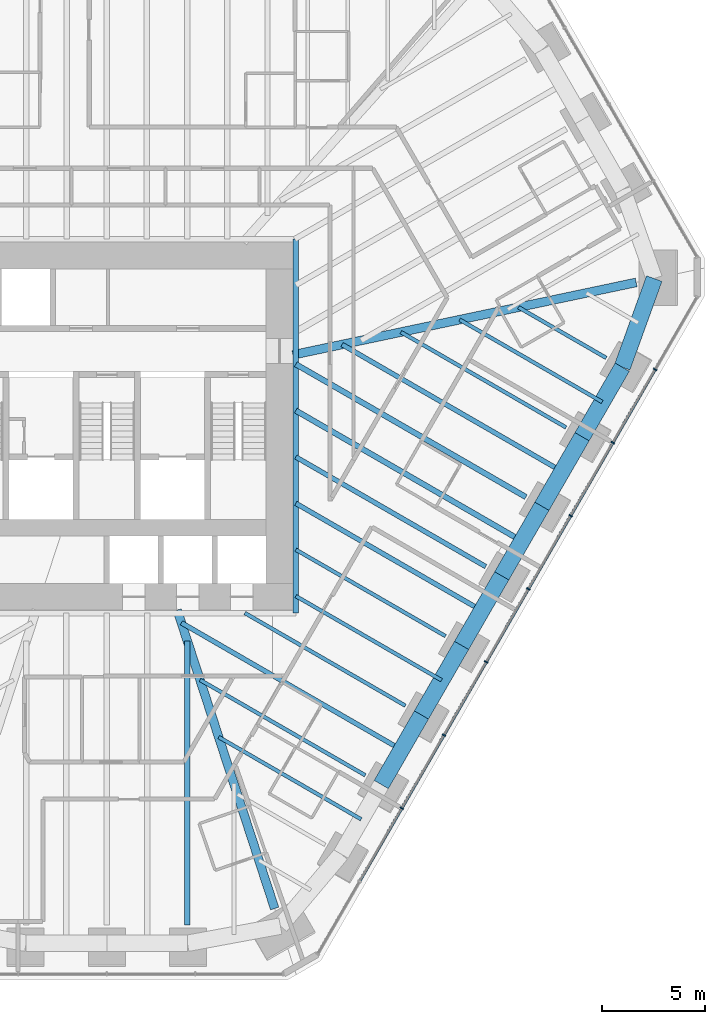
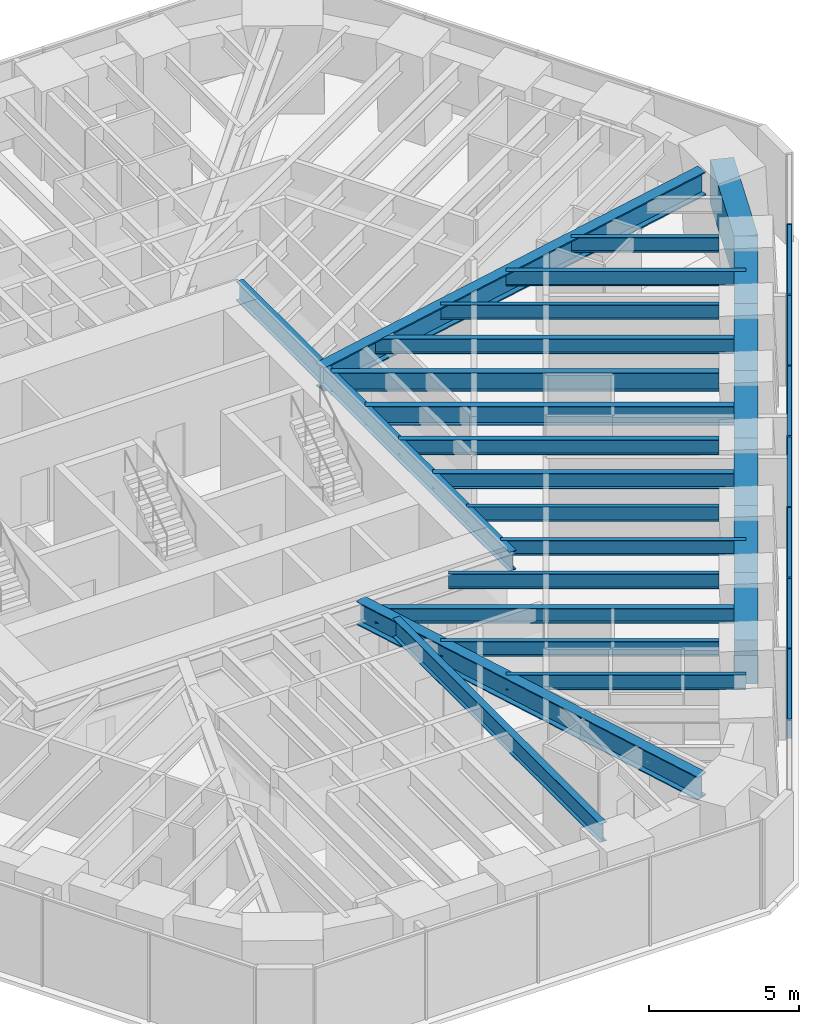
# One storey, part 5 of 17: 25 beams, 14 members, 1 element without a shape of its own.
"""IFC4 building model written with IfcOpenShell, lengths in metres."""

from ifc_helpers import new_model, si_unit, direction, frame, origin, origin_2d, place, context, subcontext, project, spatial, rectangle, i_section, extrude, material, material_profile, profile_set, type_object, element, aggregate, save


model = new_model("IFC4")

# Units and contexts
model_context = context("Model", 3, precision=1e-05, world=origin(), true_north=direction((0.0, 1.0)))
body_context = subcontext(model_context, "Body", "Model", "MODEL_VIEW")
ifc_project = project(units=[si_unit("LENGTHUNIT", "METRE"), si_unit("AREAUNIT", "SQUARE_METRE"), si_unit("VOLUMEUNIT", "CUBIC_METRE"), si_unit("PLANEANGLEUNIT", "RADIAN"), si_unit("MASSUNIT", "GRAM", prefix="KILO")], contexts=[model_context])

# Site, building, storey
site_placement = place(None, origin())
site = spatial("IfcSite", under=ifc_project, at=site_placement, CompositionType="ELEMENT")
building_placement = place(site_placement, origin())
building = spatial("IfcBuilding", under=site, at=building_placement, Name="Sandreach Pilgrim Tower", CompositionType="ELEMENT")
storey_placement = place(building_placement, frame((0.0, 0.0, 150.0)))
storey = spatial("IfcBuildingStorey", under=building, at=storey_placement, Name="L37", CompositionType="ELEMENT", Elevation=150.0)

# Curtain wall, members
ifc_material_1 = material(Name="Aluminium framed curtain wall", Category="aluminium")
curtain_wall_type = type_object("IfcCurtainWallType", Name="Hotel tower curtain wall", PredefinedType="NOTDEFINED", material=ifc_material_1)
curtain_wall_placement = place(storey_placement, origin())
curtain_wall = element("IfcCurtainWall", 1, at=curtain_wall_placement, inside=storey, type_object=curtain_wall_type, Name="CW-2 L37 SE", PredefinedType="NOTDEFINED")
ifc_material_2 = material(Name="Aluminium extrusion", Category="aluminium")
ifc_material_profile_1 = material_profile(ifc_material_2, rectangle(XDim=0.06494140625, YDim=0.179931640625, at=origin_2d()), Name="CW-2M 65X180")
ifc_profile_set_1 = profile_set([ifc_material_profile_1], Name="Aluminium extrusion")
member_type_1 = type_object("IfcMemberType", Name="CW-2 mullion", PredefinedType="MULLION", material=ifc_profile_set_1)
member_1_placement = place(storey_placement, frame((26.66748046875, 1.20166015625, 0.0), z_axis=(0.0, 0.0, 1.0), x_axis=(-0.5, -0.866025403784, 0.0)))
member_1 = element("IfcMember", 2, at=member_1_placement, type_object=member_type_1, Name="CW-2 mullion 2", PredefinedType="MULLION", context=body_context, shape_type="SweptSolid", body=[
    extrude(rectangle(XDim=0.06494140625, YDim=0.179931640625, at=origin_2d()), origin(), (0.0, 0.0, 1.0), 3.639892578125),
])
member_2_placement = place(storey_placement, frame((24.614013671875, -2.35498046875, 0.0), z_axis=(0.0, 0.0, 1.0), x_axis=(-0.5, -0.866025403784, 0.0)))
member_2 = element("IfcMember", 3, at=member_2_placement, type_object=member_type_1, Name="CW-2 mullion 3", PredefinedType="MULLION", context=body_context, shape_type="SweptSolid", body=[
    extrude(rectangle(XDim=0.06494140625, YDim=0.179931640625, at=origin_2d()), origin(), (0.0, 0.0, 1.0), 3.639892578125),
])
member_3_placement = place(storey_placement, frame((22.560302734375, -5.911865234375, 0.0), z_axis=(0.0, 0.0, 1.0), x_axis=(-0.5, -0.866025403784, 0.0)))
member_3 = element("IfcMember", 4, at=member_3_placement, type_object=member_type_1, Name="CW-2 mullion 4", PredefinedType="MULLION", context=body_context, shape_type="SweptSolid", body=[
    extrude(rectangle(XDim=0.06494140625, YDim=0.179931640625, at=origin_2d()), origin(), (0.0, 0.0, 1.0), 3.639892578125),
])
member_4_placement = place(storey_placement, frame((20.5068359375, -9.468505859375, 0.0), z_axis=(0.0, 0.0, 1.0), x_axis=(-0.5, -0.866025403784, 0.0)))
member_4 = element("IfcMember", 5, at=member_4_placement, type_object=member_type_1, Name="CW-2 mullion 5", PredefinedType="MULLION", context=body_context, shape_type="SweptSolid", body=[
    extrude(rectangle(XDim=0.06494140625, YDim=0.179931640625, at=origin_2d()), origin(), (0.0, 0.0, 1.0), 3.639892578125),
])
member_5_placement = place(storey_placement, frame((18.453369140625, -13.025146484375, 0.0), z_axis=(0.0, 0.0, 1.0), x_axis=(-0.5, -0.866025403784, 0.0)))
member_5 = element("IfcMember", 6, at=member_5_placement, type_object=member_type_1, Name="CW-2 mullion 6", PredefinedType="MULLION", context=body_context, shape_type="SweptSolid", body=[
    extrude(rectangle(XDim=0.06494140625, YDim=0.179931640625, at=origin_2d()), origin(), (0.0, 0.0, 1.0), 3.639892578125),
])
member_6_placement = place(storey_placement, frame((16.39990234375, -16.58203125, 0.0), z_axis=(0.0, 0.0, 1.0), x_axis=(-0.5, -0.866025403784, 0.0)))
member_6 = element("IfcMember", 7, at=member_6_placement, type_object=member_type_1, Name="CW-2 mullion 7", PredefinedType="MULLION", context=body_context, shape_type="SweptSolid", body=[
    extrude(rectangle(XDim=0.06494140625, YDim=0.179931640625, at=origin_2d()), origin(), (0.0, 0.0, 1.0), 3.639892578125),
])
member_7_placement = place(storey_placement, frame((14.346435546875, -20.138671875, 0.0), z_axis=(0.0, 0.0, 1.0), x_axis=(-0.5, -0.866025403784, 0.0)))
member_7 = element("IfcMember", 8, at=member_7_placement, type_object=member_type_1, Name="CW-2 mullion 8", PredefinedType="MULLION", context=body_context, shape_type="SweptSolid", body=[
    extrude(rectangle(XDim=0.06494140625, YDim=0.179931640625, at=origin_2d()), origin(), (0.0, 0.0, 1.0), 3.639892578125),
])
ifc_material_3 = material(Name="Aluminium extrusion", Category="aluminium")
ifc_material_profile_2 = material_profile(ifc_material_3, rectangle(XDim=0.139892578125, YDim=0.070068359375, at=origin_2d()), Name="CW-2T 140X70")
ifc_profile_set_2 = profile_set([ifc_material_profile_2], Name="Aluminium extrusion")
member_type_2 = type_object("IfcMemberType", Name="CW-2 transom", PredefinedType="USERDEFINED", material=ifc_profile_set_2)
member_8_placement = place(storey_placement, frame((26.651123046875, 1.173583984375, 3.60498046875), z_axis=(-0.499997818338, -0.866026663364, 0.0), x_axis=(0.866026663364, -0.499997818338, 0.0)))
member_8 = element("IfcMember", 9, at=member_8_placement, type_object=member_type_2, Name="CW-2 head transom 2", ObjectType="TRANSOM", PredefinedType="USERDEFINED", context=body_context, shape_type="SweptSolid", body=[
    extrude(rectangle(XDim=0.139892578125, YDim=0.070068359375, at=origin_2d()), origin(), (0.0, 0.0, 1.0), 4.0419921875),
])
member_9_placement = place(storey_placement, frame((24.59765625, -2.38330078125, 3.60498046875), z_axis=(-0.500023973715, -0.866011562111, 0.0), x_axis=(0.866011562111, -0.500023973715, 0.0)))
member_9 = element("IfcMember", 10, at=member_9_placement, type_object=member_type_2, Name="CW-2 head transom 3", ObjectType="TRANSOM", PredefinedType="USERDEFINED", context=body_context, shape_type="SweptSolid", body=[
    extrude(rectangle(XDim=0.139892578125, YDim=0.070068359375, at=origin_2d()), origin(), (0.0, 0.0, 1.0), 4.041748046875),
])
member_10_placement = place(storey_placement, frame((22.544189453125, -5.93994140625, 3.60498046875), z_axis=(-0.499997818338, -0.866026663364, 0.0), x_axis=(0.866026663364, -0.499997818338, 0.0)))
member_10 = element("IfcMember", 11, at=member_10_placement, type_object=member_type_2, Name="CW-2 head transom 4", ObjectType="TRANSOM", PredefinedType="USERDEFINED", context=body_context, shape_type="SweptSolid", body=[
    extrude(rectangle(XDim=0.139892578125, YDim=0.070068359375, at=origin_2d()), origin(), (0.0, 0.0, 1.0), 4.0419921875),
])
member_11_placement = place(storey_placement, frame((20.49072265625, -9.49658203125, 3.60498046875), z_axis=(-0.499997818338, -0.866026663364, 0.0), x_axis=(0.866026663364, -0.499997818338, 0.0)))
member_11 = element("IfcMember", 12, at=member_11_placement, type_object=member_type_2, Name="CW-2 head transom 5", ObjectType="TRANSOM", PredefinedType="USERDEFINED", context=body_context, shape_type="SweptSolid", body=[
    extrude(rectangle(XDim=0.139892578125, YDim=0.070068359375, at=origin_2d()), origin(), (0.0, 0.0, 1.0), 4.0419921875),
])
member_12_placement = place(storey_placement, frame((18.437255859375, -13.053466796875, 3.60498046875), z_axis=(-0.499997818338, -0.866026663364, 0.0), x_axis=(0.866026663364, -0.499997818338, 0.0)))
member_12 = element("IfcMember", 13, at=member_12_placement, type_object=member_type_2, Name="CW-2 head transom 6", ObjectType="TRANSOM", PredefinedType="USERDEFINED", context=body_context, shape_type="SweptSolid", body=[
    extrude(rectangle(XDim=0.139892578125, YDim=0.070068359375, at=origin_2d()), origin(), (0.0, 0.0, 1.0), 4.0419921875),
])
member_13_placement = place(storey_placement, frame((16.3837890625, -16.610107421875, 3.60498046875), z_axis=(-0.499997818338, -0.866026663364, 0.0), x_axis=(0.866026663364, -0.499997818338, 0.0)))
member_13 = element("IfcMember", 14, at=member_13_placement, type_object=member_type_2, Name="CW-2 head transom 7", ObjectType="TRANSOM", PredefinedType="USERDEFINED", context=body_context, shape_type="SweptSolid", body=[
    extrude(rectangle(XDim=0.139892578125, YDim=0.070068359375, at=origin_2d()), origin(), (0.0, 0.0, 1.0), 4.0419921875),
])
member_14_placement = place(storey_placement, frame((14.330322265625, -20.1669921875, 3.60498046875), z_axis=(-0.500023973715, -0.866011562111, 0.0), x_axis=(0.866011562111, -0.500023973715, 0.0)))
member_14 = element("IfcMember", 15, at=member_14_placement, type_object=member_type_2, Name="CW-2 head transom 8", ObjectType="TRANSOM", PredefinedType="USERDEFINED", context=body_context, shape_type="SweptSolid", body=[
    extrude(rectangle(XDim=0.139892578125, YDim=0.070068359375, at=origin_2d()), origin(), (0.0, 0.0, 1.0), 4.041748046875),
])
aggregate(curtain_wall, [member_1, member_2, member_3, member_4, member_5, member_6, member_7, member_8, member_9, member_10, member_11, member_12, member_13, member_14])

# Beams
ifc_material_4 = material(Name="Steel ASTM A992 Grade 50", Category="steel")
ifc_material_profile_3 = material_profile(ifc_material_4, i_section(OverallWidth=0.2666015625, OverallDepth=0.77978515625, WebThickness=0.0166015625, FlangeThickness=0.030029296875, at=origin_2d()), Name="W30X148")
ifc_profile_set_3 = profile_set([ifc_material_profile_3], Name="Steel ASTM A992 Grade 50")
beam_type_1 = type_object("IfcBeamType", Name="Core edge beam W30X148", PredefinedType="BEAM", material=ifc_profile_set_3)
beam_1_placement = place(storey_placement, frame((9.193359375, 7.54345703125, 3.25), z_axis=(0.0, -1.0, 0.0), x_axis=(1.0, 0.0, 0.0)))
element("IfcBeam", 16, at=beam_1_placement, inside=storey, type_object=beam_type_1, Name="BM L37 CEE", PredefinedType="BEAM", context=body_context, shape_type="SweptSolid", body=[
    extrude(i_section(OverallWidth=0.2666015625, OverallDepth=0.77978515625, WebThickness=0.0166015625, FlangeThickness=0.030029296875, at=origin_2d()), origin(), (0.0, 0.0, 1.0), 18.186767578125),
])
ifc_material_5 = material(Name="Steel ASTM A992 Grade 50", Category="steel")
ifc_material_profile_4 = material_profile(ifc_material_5, i_section(OverallWidth=0.421630859375, OverallDepth=0.937255859375, WebThickness=0.0224609375, FlangeThickness=0.039794921875, at=origin_2d()), Name="W36X282")
ifc_profile_set_4 = profile_set([ifc_material_profile_4], Name="Steel ASTM A992 Grade 50")
beam_type_2 = type_object("IfcBeamType", Name="Corner girder W36X282", PredefinedType="BEAM", material=ifc_profile_set_4)
beam_2_placement = place(storey_placement, frame((8.166015625, -25.01611328125, 3.17138671875), z_axis=(-0.310317157358, 0.950633084765, 0.0), x_axis=(-0.950633084765, -0.310317157358, 0.0)))
element("IfcBeam", 17, at=beam_2_placement, inside=storey, type_object=beam_type_2, Name="BM L37 CG22", PredefinedType="BEAM", context=body_context, shape_type="SweptSolid", body=[
    extrude(i_section(OverallWidth=0.421630859375, OverallDepth=0.937255859375, WebThickness=0.0224609375, FlangeThickness=0.039794921875, at=origin_2d()), origin(), (0.0, 0.0, 1.0), 15.27001953125),
])
ifc_material_6 = material(Name="Steel ASTM A992 Grade 50", Category="steel")
ifc_material_profile_5 = material_profile(ifc_material_6, i_section(OverallWidth=0.424072265625, OverallDepth=0.965087890625, WebThickness=0.028564453125, FlangeThickness=0.051025390625, at=origin_2d()), Name="W36X361")
ifc_profile_set_5 = profile_set([ifc_material_profile_5], Name="Steel ASTM A992 Grade 50")
beam_type_3 = type_object("IfcBeamType", Name="Corner girder W36X361", PredefinedType="BEAM", material=ifc_profile_set_5)
beam_3_placement = place(storey_placement, frame((25.74755859375, 5.43603515625, 3.157470703125), z_axis=(-0.978430011302, -0.206578587914, 0.0), x_axis=(0.206578587914, -0.978430011302, 0.0)))
element("IfcBeam", 18, at=beam_3_placement, inside=storey, type_object=beam_type_3, Name="BM L37 CG13", PredefinedType="BEAM", context=body_context, shape_type="SweptSolid", body=[
    extrude(i_section(OverallWidth=0.424072265625, OverallDepth=0.965087890625, WebThickness=0.028564453125, FlangeThickness=0.051025390625, at=origin_2d()), origin(), (0.0, 0.0, 1.0), 17.065673828125),
])
ifc_material_7 = material(Name="Steel ASTM A992 Grade 50", Category="steel")
ifc_material_profile_6 = material_profile(ifc_material_7, i_section(OverallWidth=0.1787109375, OverallDepth=0.60205078125, WebThickness=0.010986328125, FlangeThickness=0.014892578125, at=origin_2d()), Name="W24X62")
ifc_profile_set_6 = profile_set([ifc_material_profile_6], Name="Steel ASTM A992 Grade 50")
beam_type_4 = type_object("IfcBeamType", Name="Floor beam W24X62", PredefinedType="BEAM", material=ifc_profile_set_6)
beam_4_placement = place(storey_placement, frame((24.29052734375, 1.76416015625, 3.339111328125), z_axis=(-0.866011470817, 0.500024131831, 0.0), x_axis=(-0.500024131831, -0.866011470817, 0.0)))
element("IfcBeam", 19, at=beam_4_placement, inside=storey, type_object=beam_type_4, Name="BM L37 F14", PredefinedType="BEAM", context=body_context, shape_type="SweptSolid", body=[
    extrude(i_section(OverallWidth=0.1787109375, OverallDepth=0.60205078125, WebThickness=0.010986328125, FlangeThickness=0.014892578125, at=origin_2d()), origin(), (0.0, 0.0, 1.0), 4.927001953125),
])
beam_5_placement = place(storey_placement, frame((22.337158203125, -1.618896484375, 3.339111328125), z_axis=(-0.866025631785, 0.49999960509, 0.0), x_axis=(-0.49999960509, -0.866025631785, 0.0)))
element("IfcBeam", 20, at=beam_5_placement, inside=storey, type_object=beam_type_4, Name="BM L37 F15", PredefinedType="BEAM", context=body_context, shape_type="SweptSolid", body=[
    extrude(i_section(OverallWidth=0.1787109375, OverallDepth=0.60205078125, WebThickness=0.010986328125, FlangeThickness=0.014892578125, at=origin_2d()), origin(), (0.0, 0.0, 1.0), 9.27734375),
])
beam_6_placement = place(storey_placement, frame((16.477294921875, -11.7685546875, 3.339111328125), z_axis=(-0.866028486751, 0.499994660107, 0.0), x_axis=(-0.499994660107, -0.866028486751, 0.0)))
element("IfcBeam", 21, at=beam_6_placement, inside=storey, type_object=beam_type_4, Name="BM L37 F18", PredefinedType="BEAM", context=body_context, shape_type="SweptSolid", body=[
    extrude(i_section(OverallWidth=0.1787109375, OverallDepth=0.60205078125, WebThickness=0.010986328125, FlangeThickness=0.014892578125, at=origin_2d()), origin(), (0.0, 0.0, 1.0), 8.41064453125),
])
beam_7_placement = place(storey_placement, frame((14.52392578125, -15.15185546875, 3.339111328125), z_axis=(-0.86602010863, 0.500009171364, 0.0), x_axis=(-0.500009171364, -0.86602010863, 0.0)))
element("IfcBeam", 22, at=beam_7_placement, inside=storey, type_object=beam_type_4, Name="BM L37 F19", PredefinedType="BEAM", context=body_context, shape_type="SweptSolid", body=[
    extrude(i_section(OverallWidth=0.1787109375, OverallDepth=0.60205078125, WebThickness=0.010986328125, FlangeThickness=0.014892578125, at=origin_2d()), origin(), (0.0, 0.0, 1.0), 9.016845703125),
])
beam_8_placement = place(storey_placement, frame((12.570556640625, -18.53515625, 3.339111328125), z_axis=(-0.866014236654, 0.500019341538, 0.0), x_axis=(-0.500019341538, -0.866014236654, 0.0)))
element("IfcBeam", 23, at=beam_8_placement, inside=storey, type_object=beam_type_4, Name="BM L37 F20", PredefinedType="BEAM", context=body_context, shape_type="SweptSolid", body=[
    extrude(i_section(OverallWidth=0.1787109375, OverallDepth=0.60205078125, WebThickness=0.010986328125, FlangeThickness=0.014892578125, at=origin_2d()), origin(), (0.0, 0.0, 1.0), 9.277587890625),
])
beam_9_placement = place(storey_placement, frame((24.09326171875, -0.37744140625, 3.339111328125), z_axis=(-0.866020974757, 0.500007671222, 0.0), x_axis=(-0.500007671222, -0.866020974757, 0.0)))
element("IfcBeam", 24, at=beam_9_placement, inside=storey, type_object=beam_type_4, Name="BM L37 FM14", PredefinedType="BEAM", context=body_context, shape_type="SweptSolid", body=[
    extrude(i_section(OverallWidth=0.1787109375, OverallDepth=0.60205078125, WebThickness=0.010986328125, FlangeThickness=0.014892578125, at=origin_2d()), origin(), (0.0, 0.0, 1.0), 8.002197265625),
])
beam_10_placement = place(storey_placement, frame((16.280029296875, -13.91015625, 3.339111328125), z_axis=(-0.866035044717, 0.499983301043, 0.0), x_axis=(-0.499983301043, -0.866035044717, 0.0)))
element("IfcBeam", 25, at=beam_10_placement, inside=storey, type_object=beam_type_4, Name="BM L37 FM18", PredefinedType="BEAM", context=body_context, shape_type="SweptSolid", body=[
    extrude(i_section(OverallWidth=0.1787109375, OverallDepth=0.60205078125, WebThickness=0.010986328125, FlangeThickness=0.014892578125, at=origin_2d()), origin(), (0.0, 0.0, 1.0), 8.182861328125),
])
beam_11_placement = place(storey_placement, frame((12.37353515625, -20.6767578125, 3.339111328125), z_axis=(-0.866020974757, 0.500007671222, 0.0), x_axis=(-0.500007671222, -0.866020974757, 0.0)))
element("IfcBeam", 26, at=beam_11_placement, inside=storey, type_object=beam_type_4, Name="BM L37 FM20", PredefinedType="BEAM", context=body_context, shape_type="SweptSolid", body=[
    extrude(i_section(OverallWidth=0.1787109375, OverallDepth=0.60205078125, WebThickness=0.010986328125, FlangeThickness=0.014892578125, at=origin_2d()), origin(), (0.0, 0.0, 1.0), 8.002197265625),
])
ifc_material_8 = material(Name="Steel ASTM A992 Grade 50", Category="steel")
ifc_material_profile_7 = material_profile(ifc_material_8, i_section(OverallWidth=0.23046875, OverallDepth=0.6171875, WebThickness=0.01318359375, FlangeThickness=0.022216796875, at=origin_2d()), Name="W24X94")
ifc_profile_set_7 = profile_set([ifc_material_profile_7], Name="Steel ASTM A992 Grade 50")
beam_type_5 = type_object("IfcBeamType", Name="Floor beam W24X94", PredefinedType="BEAM", material=ifc_profile_set_7)
beam_12_placement = place(storey_placement, frame((18.4306640625, -8.385498046875, 3.331298828125), z_axis=(-0.866021684948, 0.500006441159, 0.0), x_axis=(-0.500006441159, -0.866021684948, 0.0)))
element("IfcBeam", 27, at=beam_12_placement, inside=storey, type_object=beam_type_5, Name="BM L37 F17", PredefinedType="BEAM", context=body_context, shape_type="SweptSolid", body=[
    extrude(i_section(OverallWidth=0.23046875, OverallDepth=0.6171875, WebThickness=0.01318359375, FlangeThickness=0.022216796875, at=origin_2d()), origin(), (0.0, 0.0, 1.0), 10.666259765625),
])
beam_13_placement = place(storey_placement, frame((22.139892578125, -3.760498046875, 3.331298828125), z_axis=(-0.86602826301, 0.499995047643, 0.0), x_axis=(-0.499995047643, -0.86602826301, 0.0)))
element("IfcBeam", 28, at=beam_13_placement, inside=storey, type_object=beam_type_5, Name="BM L37 FM15", PredefinedType="BEAM", context=body_context, shape_type="SweptSolid", body=[
    extrude(i_section(OverallWidth=0.23046875, OverallDepth=0.6171875, WebThickness=0.01318359375, FlangeThickness=0.022216796875, at=origin_2d()), origin(), (0.0, 0.0, 1.0), 12.352783203125),
])
beam_14_placement = place(storey_placement, frame((18.2333984375, -10.527099609375, 3.331298828125), z_axis=(-0.866026677491, 0.499997793869, 0.0), x_axis=(-0.499997793869, -0.866026677491, 0.0)))
element("IfcBeam", 29, at=beam_14_placement, inside=storey, type_object=beam_type_5, Name="BM L37 FM17", PredefinedType="BEAM", context=body_context, shape_type="SweptSolid", body=[
    extrude(i_section(OverallWidth=0.23046875, OverallDepth=0.6171875, WebThickness=0.01318359375, FlangeThickness=0.022216796875, at=origin_2d()), origin(), (0.0, 0.0, 1.0), 10.4384765625),
])
beam_15_placement = place(storey_placement, frame((14.32666015625, -17.29345703125, 3.331298828125), z_axis=(-0.86602826301, 0.499995047643, 0.0), x_axis=(-0.499995047643, -0.86602826301, 0.0)))
element("IfcBeam", 30, at=beam_15_placement, inside=storey, type_object=beam_type_5, Name="BM L37 FM19", PredefinedType="BEAM", context=body_context, shape_type="SweptSolid", body=[
    extrude(i_section(OverallWidth=0.23046875, OverallDepth=0.6171875, WebThickness=0.01318359375, FlangeThickness=0.022216796875, at=origin_2d()), origin(), (0.0, 0.0, 1.0), 12.352783203125),
])
ifc_material_9 = material(Name="Steel ASTM A992 Grade 50", Category="steel")
ifc_material_profile_8 = material_profile(ifc_material_9, i_section(OverallWidth=0.2666015625, OverallDepth=0.761962890625, WebThickness=0.014404296875, FlangeThickness=0.021484375, at=origin_2d()), Name="W30X116")
ifc_profile_set_8 = profile_set([ifc_material_profile_8], Name="Steel ASTM A992 Grade 50")
beam_type_6 = type_object("IfcBeamType", Name="Floor beam W30X116", PredefinedType="BEAM", material=ifc_profile_set_8)
beam_16_placement = place(storey_placement, frame((20.3837890625, -5.002197265625, 3.259033203125), z_axis=(-0.86602071536, 0.500008120501, 0.0), x_axis=(-0.500008120501, -0.86602071536, 0.0)))
element("IfcBeam", 31, at=beam_16_placement, inside=storey, type_object=beam_type_6, Name="BM L37 F16", PredefinedType="BEAM", context=body_context, shape_type="SweptSolid", body=[
    extrude(i_section(OverallWidth=0.2666015625, OverallDepth=0.761962890625, WebThickness=0.014404296875, FlangeThickness=0.021484375, at=origin_2d()), origin(), (0.0, 0.0, 1.0), 12.921630859375),
])
beam_17_placement = place(storey_placement, frame((3.922119140625, -25.8076171875, 3.259033203125), z_axis=(0.0, 1.0, 0.0), x_axis=(-1.0, 0.0, 0.0)))
element("IfcBeam", 32, at=beam_17_placement, inside=storey, type_object=beam_type_6, Name="BM L37 F23", PredefinedType="BEAM", context=body_context, shape_type="SweptSolid", body=[
    extrude(i_section(OverallWidth=0.2666015625, OverallDepth=0.761962890625, WebThickness=0.014404296875, FlangeThickness=0.021484375, at=origin_2d()), origin(), (0.0, 0.0, 1.0), 13.7919921875),
])
beam_18_placement = place(storey_placement, frame((20.186767578125, -7.143798828125, 3.259033203125), z_axis=(-0.866029611657, 0.49999271168, 0.0), x_axis=(-0.49999271168, -0.866029611657, 0.0)))
element("IfcBeam", 33, at=beam_18_placement, inside=storey, type_object=beam_type_6, Name="BM L37 FM16", PredefinedType="BEAM", context=body_context, shape_type="SweptSolid", body=[
    extrude(i_section(OverallWidth=0.2666015625, OverallDepth=0.761962890625, WebThickness=0.014404296875, FlangeThickness=0.021484375, at=origin_2d()), origin(), (0.0, 0.0, 1.0), 12.694091796875),
])
ifc_material_10 = material(Name="Concrete 10000 psi", Category="concrete")
ifc_material_profile_9 = material_profile(ifc_material_10, rectangle(XDim=0.800048828125, YDim=1.800048828125, at=origin_2d()), Name="RC800X1800")
ifc_profile_set_9 = profile_set([ifc_material_profile_9], Name="Concrete 10000 psi")
beam_type_7 = type_object("IfcBeamType", Name="Spandrel beam RC800X1800", PredefinedType="SPANDREL", material=ifc_profile_set_9)
beam_19_placement = place(storey_placement, frame((26.628173828125, 5.6220703125, 2.739990234375), z_axis=(-0.340172179298, -0.940363168372, 0.0), x_axis=(0.940363168372, -0.340172179298, 0.0)))
element("IfcBeam", 34, at=beam_19_placement, inside=storey, type_object=beam_type_7, Name="BM L37 SP13", PredefinedType="SPANDREL", context=body_context, shape_type="SweptSolid", body=[
    extrude(rectangle(XDim=0.800048828125, YDim=1.800048828125, at=origin_2d()), origin(), (0.0, 0.0, 1.0), 4.5810546875),
])
for number, where, z_axis, x_axis, name in (
    (35, (25.06982421875, 1.314208984375, 2.739990234375), (-0.499956876673, -0.866050299617, 0.0), (0.866050299617, -0.499956876673, 0.0), "BM L37 SP14"),
    (36, (23.11669921875, -2.069091796875, 2.739990234375), (-0.500030809598, -0.866007615124, 0.0), (0.866007615124, -0.500030809598, 0.0), "BM L37 SP15"),
):
    element("IfcBeam", number, at=place(storey_placement, frame(where, z_axis=z_axis, x_axis=x_axis)), inside=storey, type_object=beam_type_7, Name=name, PredefinedType="SPANDREL", context=body_context, shape_type="SweptSolid", body=[
        extrude(rectangle(XDim=0.800048828125, YDim=1.800048828125, at=origin_2d()), origin(), (0.0, 0.0, 1.0), 3.906494140625),
    ])
for number, where, z_axis, x_axis, name in (
    (37, (21.163330078125, -5.4521484375, 2.739990234375), (-0.500003748129, -0.866023239791, 0.0), (0.866023239791, -0.500003748129, 0.0), "BM L37 SP16"),
    (38, (19.2099609375, -8.83544921875, 2.739990234375), (-0.500003748129, -0.866023239791, 0.0), (0.866023239791, -0.500003748129, 0.0), "BM L37 SP17"),
):
    element("IfcBeam", number, at=place(storey_placement, frame(where, z_axis=z_axis, x_axis=x_axis)), inside=storey, type_object=beam_type_7, Name=name, PredefinedType="SPANDREL", context=body_context, shape_type="SweptSolid", body=[
        extrude(rectangle(XDim=0.800048828125, YDim=1.800048828125, at=origin_2d()), origin(), (0.0, 0.0, 1.0), 3.90673828125),
    ])
beam_20_placement = place(storey_placement, frame((17.256591796875, -12.21875, 2.739990234375), z_axis=(-0.499983937298, -0.866034677391, 0.0), x_axis=(0.866034677391, -0.499983937298, 0.0)))
element("IfcBeam", 39, at=beam_20_placement, inside=storey, type_object=beam_type_7, Name="BM L37 SP18", PredefinedType="SPANDREL", context=body_context, shape_type="SweptSolid", body=[
    extrude(rectangle(XDim=0.800048828125, YDim=1.800048828125, at=origin_2d()), origin(), (0.0, 0.0, 1.0), 3.906494140625),
])
beam_21_placement = place(storey_placement, frame((15.303466796875, -15.601806640625, 2.739990234375), z_axis=(-0.500003748129, -0.866023239791, 0.0), x_axis=(0.866023239791, -0.500003748129, 0.0)))
element("IfcBeam", 40, at=beam_21_placement, inside=storey, type_object=beam_type_7, Name="BM L37 SP19", PredefinedType="SPANDREL", context=body_context, shape_type="SweptSolid", body=[
    extrude(rectangle(XDim=0.800048828125, YDim=1.800048828125, at=origin_2d()), origin(), (0.0, 0.0, 1.0), 3.90673828125),
])

save(model, "model.ifc")
